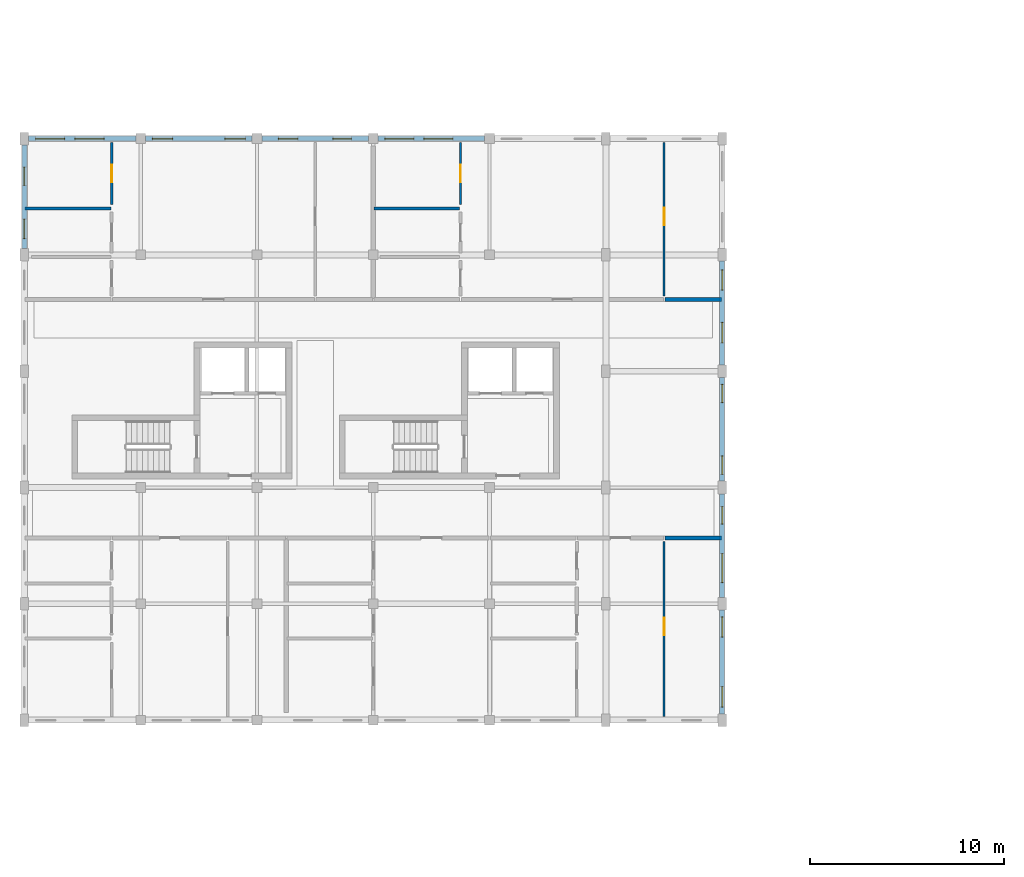
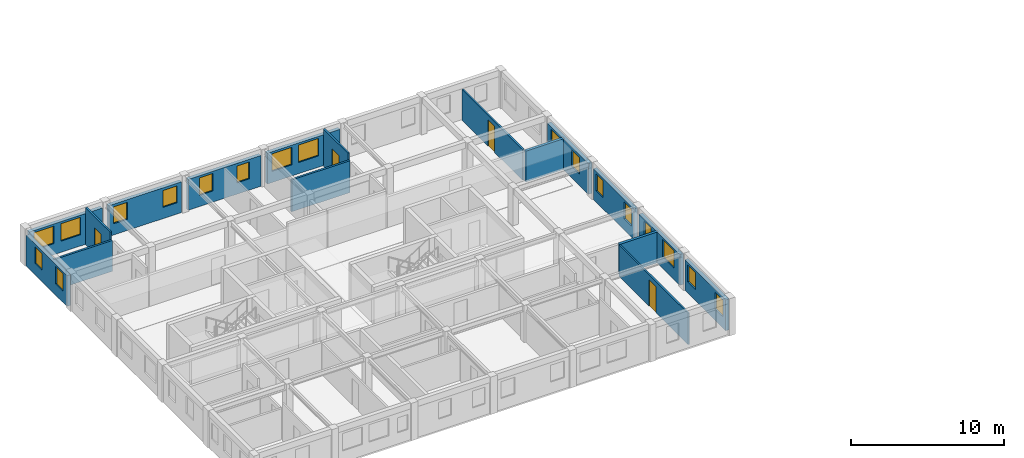
# One storey, part 6 of 17: 18 windows, 17 walls, 4 doors, 22 openings.
"""IFC4 building model written with IfcOpenShell, lengths in metres."""

from ifc_helpers import new_model, si_unit, direction, frame, frame_2d, origin, place, context, subcontext, project, spatial, rectangle, extrude, material, layer, layer_set, type_object, element, fill, save


model = new_model("IFC4")

# Units and contexts
model_context = context("Model", 3, precision=1e-05, world=origin(), true_north=direction((0.0, 1.0)))
body_context = subcontext(model_context, "Body", "Model", "MODEL_VIEW")
ifc_project = project(units=[si_unit("LENGTHUNIT", "METRE"), si_unit("AREAUNIT", "SQUARE_METRE"), si_unit("VOLUMEUNIT", "CUBIC_METRE"), si_unit("PLANEANGLEUNIT", "RADIAN"), si_unit("MASSUNIT", "GRAM", prefix="KILO"), si_unit("POWERUNIT", "WATT"), si_unit("THERMODYNAMICTEMPERATUREUNIT", "KELVIN")], contexts=[model_context])

# Site, building, storey
site_placement = place(None, origin())
site = spatial("IfcSite", under=ifc_project, at=site_placement, CompositionType="ELEMENT")
building_placement = place(site_placement, origin())
building = spatial("IfcBuilding", under=site, at=building_placement, Name="Ruvembo Vaulted Housing Court", CompositionType="ELEMENT")
storey_placement = place(building_placement, frame((0.0, 0.0, 30.10009765625)))
storey = spatial("IfcBuildingStorey", under=building, at=storey_placement, Name="L09", CompositionType="ELEMENT", Elevation=30.10009765625)

# Walls
ifc_material_1 = material(Name="Concrete Blockwork 200", Category="masonry")
ifc_layer_1 = layer(ifc_material_1, 0.199951171875, Name="Concrete Blockwork 200")
ifc_layer_set_1 = layer_set([ifc_layer_1], Name="Concrete Blockwork 200")
wall_type_1 = type_object("IfcWallType", Name="WL-CORR-200", PredefinedType="SOLIDWALL", material=ifc_layer_set_1)
for number, where, z_axis, x_axis, name in (
    (1, (33.0400390625, 15.39990234375, 0.0), (0.0, 0.0, 1.0), (1.0, 0.0, 0.0), "L09 Flat A-L09-S3 Corridor Wall 2 WL-INT-L09-02157"),
    (2, (33.0400390625, 27.699951171875, 0.0), (0.0, 0.0, 1.0), (1.0, 0.0, 0.0), "L09 Flat A-L09-N2 Corridor Wall 2 WL-INT-L09-02176"),
):
    element("IfcWall", number, at=place(storey_placement, frame(where, z_axis=z_axis, x_axis=x_axis)), inside=storey, type_object=wall_type_1, Name=name, PredefinedType="SOLIDWALL", context=body_context, shape_type="SweptSolid", body=[
        extrude(rectangle(XDim=2.919921875, YDim=0.199951171875, at=frame_2d((1.4599609375, 0.0))), origin(), (0.0, 0.0, 1.0), 2.466796875),
    ])

# Wall, openings, windows
ifc_material_2 = material(Name="Rendered Masonry 260", Category="masonry")
ifc_layer_2 = layer(ifc_material_2, 0.260009765625, Name="Rendered Masonry 260")
ifc_layer_set_2 = layer_set([ifc_layer_2], Name="Rendered Masonry 260")
wall_type_2 = type_object("IfcWallType", Name="WL-EXT-260", PredefinedType="STANDARD", material=ifc_layer_set_2)
wall_1_placement = place(storey_placement, frame((36.0, 6.324951171875, 0.0), z_axis=(0.0, 0.0, 1.0), x_axis=(0.0, 1.0, 0.0)))
wall_1 = element("IfcWall", 3, at=wall_1_placement, inside=storey, type_object=wall_type_2, Name="Block A L09 Exterior Wall EAST #1", PredefinedType="STANDARD", context=body_context, shape_type="SweptSolid", body=[
    extrude(rectangle(XDim=5.35009765625, YDim=0.260009765625, at=frame_2d((2.675048828125, 0.0))), origin(), (0.0, 0.0, 1.0), 2.466796875),
])
opening_1_placement = place(wall_1_placement, frame((0.35009765625, 0.0, 0.89990234375)))
opening_1 = element("IfcOpeningElement", 4, at=opening_1_placement, cuts=wall_1, Name="Opening W09", PredefinedType="OPENING", context=body_context, shape_type="SweptSolid", body=[
    extrude(rectangle(XDim=1.050048828125, YDim=1.35009765625, at=frame_2d((0.52490234375, 0.675048828125))), frame((0.0, 0.139892578125, 0.0), z_axis=(0.0, -1.0, 0.0), x_axis=(1.0, 0.0, 0.0)), (0.0, 0.0, 1.0), 0.280029296875),
])
opening_2_placement = place(wall_1_placement, frame((3.949951171875, 0.0, 0.89990234375)))
opening_2 = element("IfcOpeningElement", 5, at=opening_2_placement, cuts=wall_1, Name="Opening W09", PredefinedType="OPENING", context=body_context, shape_type="SweptSolid", body=[
    extrude(rectangle(XDim=1.050048828125, YDim=1.35009765625, at=frame_2d((0.52490234375, 0.675048828125))), frame((0.0, 0.139892578125, 0.0), z_axis=(0.0, -1.0, 0.0), x_axis=(1.0, 0.0, 0.0)), (0.0, 0.0, 1.0), 0.280029296875),
])
ifc_material_3 = material(Name="Double Solar-Control Glazing in Aluminium Frame", Category="aluminium")
window_type_1 = type_object("IfcWindowType", Name="WIN-1050x1350", PartitioningType="SINGLE_PANEL", PredefinedType="WINDOW", material=ifc_material_3)
window_1_placement = place(opening_1_placement, origin())
window_1 = element("IfcWindow", 6, at=window_1_placement, inside=storey, type_object=window_type_1, Name="Block A L09 Window #399", OverallHeight=1.35009765625, OverallWidth=1.050048828125, PartitioningType="SINGLE_PANEL", PredefinedType="WINDOW", context=body_context, shape_type="SweptSolid", body=[
    extrude(rectangle(XDim=1.050048828125, YDim=1.35009765625, at=frame_2d((0.52490234375, 0.675048828125))), frame((0.0, 0.030029296875, 0.0), z_axis=(0.0, -1.0, 0.0), x_axis=(1.0, 0.0, 0.0)), (0.0, 0.0, 1.0), 0.06005859375),
])
fill(opening_1, window_1)
window_2_placement = place(opening_2_placement, origin())
window_2 = element("IfcWindow", 7, at=window_2_placement, inside=storey, type_object=window_type_1, Name="Block A L09 Window #400", OverallHeight=1.35009765625, OverallWidth=1.050048828125, PartitioningType="SINGLE_PANEL", PredefinedType="WINDOW", context=body_context, shape_type="SweptSolid", body=[
    extrude(rectangle(XDim=1.050048828125, YDim=1.35009765625, at=frame_2d((0.52490234375, 0.675048828125))), frame((0.0, 0.030029296875, 0.0), z_axis=(0.0, -1.0, 0.0), x_axis=(1.0, 0.0, 0.0)), (0.0, 0.0, 1.0), 0.06005859375),
])
fill(opening_2, window_2)

wall_2_placement = place(storey_placement, frame((36.0, 12.324951171875, 0.0), z_axis=(0.0, 0.0, 1.0), x_axis=(0.0, 1.0, 0.0)))
wall_2 = element("IfcWall", 8, at=wall_2_placement, inside=storey, type_object=wall_type_2, Name="Block A L09 Exterior Wall EAST #2", PredefinedType="STANDARD", context=body_context, shape_type="SweptSolid", body=[
    extrude(rectangle(XDim=5.35009765625, YDim=0.260009765625, at=frame_2d((2.675048828125, 0.0))), origin(), (0.0, 0.0, 1.0), 2.466796875),
])
opening_3_placement = place(wall_2_placement, frame((0.767578125, 0.0, 0.89990234375)))
opening_3 = element("IfcOpeningElement", 9, at=opening_3_placement, cuts=wall_2, Name="Opening W18", PredefinedType="OPENING", context=body_context, shape_type="SweptSolid", body=[
    extrude(rectangle(XDim=1.5, YDim=1.39990234375, at=frame_2d((0.75, 0.699951171875))), frame((0.0, 0.139892578125, 0.0), z_axis=(0.0, -1.0, 0.0), x_axis=(1.0, 0.0, 0.0)), (0.0, 0.0, 1.0), 0.280029296875),
])
opening_4_placement = place(wall_2_placement, frame((3.782470703125, 0.0, 0.89990234375)))
opening_4 = element("IfcOpeningElement", 10, at=opening_4_placement, cuts=wall_2, Name="Opening W05", PredefinedType="OPENING", context=body_context, shape_type="SweptSolid", body=[
    extrude(rectangle(XDim=0.89990234375, YDim=1.39990234375, at=frame_2d((0.449951171875, 0.699951171875))), frame((0.0, 0.139892578125, 0.0), z_axis=(0.0, -1.0, 0.0), x_axis=(1.0, 0.0, 0.0)), (0.0, 0.0, 1.0), 0.280029296875),
])
window_type_2 = type_object("IfcWindowType", Name="WIN-0900x1400", PartitioningType="SINGLE_PANEL", PredefinedType="WINDOW", material=ifc_material_3)
window_3_placement = place(opening_4_placement, origin())
window_3 = element("IfcWindow", 11, at=window_3_placement, inside=storey, type_object=window_type_2, Name="Block A L09 Window #402", OverallHeight=1.39990234375, OverallWidth=0.89990234375, PartitioningType="SINGLE_PANEL", PredefinedType="WINDOW", context=body_context, shape_type="SweptSolid", body=[
    extrude(rectangle(XDim=0.89990234375, YDim=1.39990234375, at=frame_2d((0.449951171875, 0.699951171875))), frame((0.0, 0.030029296875, 0.0), z_axis=(0.0, -1.0, 0.0), x_axis=(1.0, 0.0, 0.0)), (0.0, 0.0, 1.0), 0.06005859375),
])
fill(opening_4, window_3)
window_type_3 = type_object("IfcWindowType", Name="WIN-1500x1400", PartitioningType="SINGLE_PANEL", PredefinedType="WINDOW", material=ifc_material_3)
window_4_placement = place(opening_3_placement, origin())
window_4 = element("IfcWindow", 12, at=window_4_placement, inside=storey, type_object=window_type_3, Name="Block A L09 Window #401", OverallHeight=1.39990234375, OverallWidth=1.5, PartitioningType="SINGLE_PANEL", PredefinedType="WINDOW", context=body_context, shape_type="SweptSolid", body=[
    extrude(rectangle(XDim=1.5, YDim=1.39990234375, at=frame_2d((0.75, 0.699951171875))), frame((0.0, 0.030029296875, 0.0), z_axis=(0.0, -1.0, 0.0), x_axis=(1.0, 0.0, 0.0)), (0.0, 0.0, 1.0), 0.06005859375),
])
fill(opening_3, window_4)

wall_3_placement = place(storey_placement, frame((36.0, 18.324951171875, 0.0), z_axis=(0.0, 0.0, 1.0), x_axis=(0.0, 1.0, 0.0)))
wall_3 = element("IfcWall", 13, at=wall_3_placement, inside=storey, type_object=wall_type_2, Name="Block A L09 Exterior Wall EAST #3", PredefinedType="STANDARD", context=body_context, shape_type="SweptSolid", body=[
    extrude(rectangle(XDim=5.35009765625, YDim=0.260009765625, at=frame_2d((2.675048828125, 0.0))), origin(), (0.0, 0.0, 1.0), 2.466796875),
])
opening_5_placement = place(wall_3_placement, frame((0.35009765625, 0.0, 0.89990234375)))
opening_5 = element("IfcOpeningElement", 14, at=opening_5_placement, cuts=wall_3, Name="Opening W07", PredefinedType="OPENING", context=body_context, shape_type="SweptSolid", body=[
    extrude(rectangle(XDim=0.949951171875, YDim=1.35009765625, at=frame_2d((0.47509765625, 0.675048828125))), frame((0.0, 0.139892578125, 0.0), z_axis=(0.0, -1.0, 0.0), x_axis=(1.0, 0.0, 0.0)), (0.0, 0.0, 1.0), 0.280029296875),
])
opening_6_placement = place(wall_3_placement, frame((4.050048828125, 0.0, 0.89990234375)))
opening_6 = element("IfcOpeningElement", 15, at=opening_6_placement, cuts=wall_3, Name="Opening W07", PredefinedType="OPENING", context=body_context, shape_type="SweptSolid", body=[
    extrude(rectangle(XDim=0.949951171875, YDim=1.35009765625, at=frame_2d((0.47509765625, 0.675048828125))), frame((0.0, 0.139892578125, 0.0), z_axis=(0.0, -1.0, 0.0), x_axis=(1.0, 0.0, 0.0)), (0.0, 0.0, 1.0), 0.280029296875),
])
window_type_4 = type_object("IfcWindowType", Name="WIN-0950x1350", PartitioningType="SINGLE_PANEL", PredefinedType="WINDOW", material=ifc_material_3)
window_5_placement = place(opening_5_placement, origin())
window_5 = element("IfcWindow", 16, at=window_5_placement, inside=storey, type_object=window_type_4, Name="Block A L09 Window #403", OverallHeight=1.35009765625, OverallWidth=0.949951171875, PartitioningType="SINGLE_PANEL", PredefinedType="WINDOW", context=body_context, shape_type="SweptSolid", body=[
    extrude(rectangle(XDim=0.949951171875, YDim=1.35009765625, at=frame_2d((0.47509765625, 0.675048828125))), frame((0.0, 0.030029296875, 0.0), z_axis=(0.0, -1.0, 0.0), x_axis=(1.0, 0.0, 0.0)), (0.0, 0.0, 1.0), 0.06005859375),
])
fill(opening_5, window_5)
window_6_placement = place(opening_6_placement, origin())
window_6 = element("IfcWindow", 17, at=window_6_placement, inside=storey, type_object=window_type_4, Name="Block A L09 Window #404", OverallHeight=1.35009765625, OverallWidth=0.949951171875, PartitioningType="SINGLE_PANEL", PredefinedType="WINDOW", context=body_context, shape_type="SweptSolid", body=[
    extrude(rectangle(XDim=0.949951171875, YDim=1.35009765625, at=frame_2d((0.47509765625, 0.675048828125))), frame((0.0, 0.030029296875, 0.0), z_axis=(0.0, -1.0, 0.0), x_axis=(1.0, 0.0, 0.0)), (0.0, 0.0, 1.0), 0.06005859375),
])
fill(opening_6, window_6)

wall_4_placement = place(storey_placement, frame((36.0, 24.324951171875, 0.0), z_axis=(0.0, 0.0, 1.0), x_axis=(0.0, 1.0, 0.0)))
wall_4 = element("IfcWall", 18, at=wall_4_placement, inside=storey, type_object=wall_type_2, Name="Block A L09 Exterior Wall EAST #4", PredefinedType="STANDARD", context=body_context, shape_type="SweptSolid", body=[
    extrude(rectangle(XDim=5.35009765625, YDim=0.260009765625, at=frame_2d((2.675048828125, 0.0))), origin(), (0.0, 0.0, 1.0), 2.466796875),
])
opening_7_placement = place(wall_4_placement, frame((1.142578125, 0.0, 0.89990234375)))
opening_7 = element("IfcOpeningElement", 19, at=opening_7_placement, cuts=wall_4, Name="Opening W09", PredefinedType="OPENING", context=body_context, shape_type="SweptSolid", body=[
    extrude(rectangle(XDim=1.050048828125, YDim=1.35009765625, at=frame_2d((0.52490234375, 0.675048828125))), frame((0.0, 0.139892578125, 0.0), z_axis=(0.0, -1.0, 0.0), x_axis=(1.0, 0.0, 0.0)), (0.0, 0.0, 1.0), 0.280029296875),
])
opening_8_placement = place(wall_4_placement, frame((3.857421875, 0.0, 0.89990234375)))
opening_8 = element("IfcOpeningElement", 20, at=opening_8_placement, cuts=wall_4, Name="Opening W09", PredefinedType="OPENING", context=body_context, shape_type="SweptSolid", body=[
    extrude(rectangle(XDim=1.050048828125, YDim=1.35009765625, at=frame_2d((0.52490234375, 0.675048828125))), frame((0.0, 0.139892578125, 0.0), z_axis=(0.0, -1.0, 0.0), x_axis=(1.0, 0.0, 0.0)), (0.0, 0.0, 1.0), 0.280029296875),
])
window_7_placement = place(opening_7_placement, origin())
window_7 = element("IfcWindow", 21, at=window_7_placement, inside=storey, type_object=window_type_1, Name="Block A L09 Window #405", OverallHeight=1.35009765625, OverallWidth=1.050048828125, PartitioningType="SINGLE_PANEL", PredefinedType="WINDOW", context=body_context, shape_type="SweptSolid", body=[
    extrude(rectangle(XDim=1.050048828125, YDim=1.35009765625, at=frame_2d((0.52490234375, 0.675048828125))), frame((0.0, 0.030029296875, 0.0), z_axis=(0.0, -1.0, 0.0), x_axis=(1.0, 0.0, 0.0)), (0.0, 0.0, 1.0), 0.06005859375),
])
fill(opening_7, window_7)
window_8_placement = place(opening_8_placement, origin())
window_8 = element("IfcWindow", 22, at=window_8_placement, inside=storey, type_object=window_type_1, Name="Block A L09 Window #406", OverallHeight=1.35009765625, OverallWidth=1.050048828125, PartitioningType="SINGLE_PANEL", PredefinedType="WINDOW", context=body_context, shape_type="SweptSolid", body=[
    extrude(rectangle(XDim=1.050048828125, YDim=1.35009765625, at=frame_2d((0.52490234375, 0.675048828125))), frame((0.0, 0.030029296875, 0.0), z_axis=(0.0, -1.0, 0.0), x_axis=(1.0, 0.0, 0.0)), (0.0, 0.0, 1.0), 0.06005859375),
])
fill(opening_8, window_8)

wall_5_placement = place(storey_placement, frame((23.75, 36.0, 0.0), z_axis=(0.0, 0.0, 1.0), x_axis=(-1.0, 0.0, 0.0)))
wall_5 = element("IfcWall", 23, at=wall_5_placement, inside=storey, type_object=wall_type_2, Name="Block A L09 Exterior Wall COURTYARD #3", PredefinedType="STANDARD", context=body_context, shape_type="SweptSolid", body=[
    extrude(rectangle(XDim=5.5, YDim=0.260009765625, at=frame_2d((2.75, 0.0))), origin(), (0.0, 0.0, 1.0), 2.466796875),
])
opening_9_placement = place(wall_5_placement, frame((1.639892578125, 0.0, 0.89990234375)))
opening_9 = element("IfcOpeningElement", 24, at=opening_9_placement, cuts=wall_5, Name="Opening W18", PredefinedType="OPENING", context=body_context, shape_type="SweptSolid", body=[
    extrude(rectangle(XDim=1.5, YDim=1.39990234375, at=frame_2d((0.75, 0.699951171875))), frame((0.0, 0.139892578125, 0.0), z_axis=(0.0, -1.0, 0.0), x_axis=(1.0, 0.0, 0.0)), (0.0, 0.0, 1.0), 0.280029296875),
])
opening_10_placement = place(wall_5_placement, frame((3.64990234375, 0.0, 0.89990234375)))
opening_10 = element("IfcOpeningElement", 25, at=opening_10_placement, cuts=wall_5, Name="Opening W18", PredefinedType="OPENING", context=body_context, shape_type="SweptSolid", body=[
    extrude(rectangle(XDim=1.5, YDim=1.39990234375, at=frame_2d((0.75, 0.699951171875))), frame((0.0, 0.139892578125, 0.0), z_axis=(0.0, -1.0, 0.0), x_axis=(1.0, 0.0, 0.0)), (0.0, 0.0, 1.0), 0.280029296875),
])
window_9_placement = place(opening_9_placement, origin())
window_9 = element("IfcWindow", 26, at=window_9_placement, inside=storey, type_object=window_type_3, Name="Block A L09 Window #413", OverallHeight=1.39990234375, OverallWidth=1.5, PartitioningType="SINGLE_PANEL", PredefinedType="WINDOW", context=body_context, shape_type="SweptSolid", body=[
    extrude(rectangle(XDim=1.5, YDim=1.39990234375, at=frame_2d((0.75, 0.699951171875))), frame((0.0, 0.030029296875, 0.0), z_axis=(0.0, -1.0, 0.0), x_axis=(1.0, 0.0, 0.0)), (0.0, 0.0, 1.0), 0.06005859375),
])
fill(opening_9, window_9)
window_10_placement = place(opening_10_placement, origin())
window_10 = element("IfcWindow", 27, at=window_10_placement, inside=storey, type_object=window_type_3, Name="Block A L09 Window #414", OverallHeight=1.39990234375, OverallWidth=1.5, PartitioningType="SINGLE_PANEL", PredefinedType="WINDOW", context=body_context, shape_type="SweptSolid", body=[
    extrude(rectangle(XDim=1.5, YDim=1.39990234375, at=frame_2d((0.75, 0.699951171875))), frame((0.0, 0.030029296875, 0.0), z_axis=(0.0, -1.0, 0.0), x_axis=(1.0, 0.0, 0.0)), (0.0, 0.0, 1.0), 0.06005859375),
])
fill(opening_10, window_10)

wall_6_placement = place(storey_placement, frame((17.75, 36.0, 0.0), z_axis=(0.0, 0.0, 1.0), x_axis=(-1.0, 0.0, 0.0)))
wall_6 = element("IfcWall", 28, at=wall_6_placement, inside=storey, type_object=wall_type_2, Name="Block A L09 Exterior Wall COURTYARD #4", PredefinedType="STANDARD", context=body_context, shape_type="SweptSolid", body=[
    extrude(rectangle(XDim=5.5, YDim=0.260009765625, at=frame_2d((2.75, 0.0))), origin(), (0.0, 0.0, 1.0), 2.466796875),
])
opening_11_placement = place(wall_6_placement, frame((0.8798828125, 0.0, 0.89990234375)))
opening_11 = element("IfcOpeningElement", 29, at=opening_11_placement, cuts=wall_6, Name="Opening W07", PredefinedType="OPENING", context=body_context, shape_type="SweptSolid", body=[
    extrude(rectangle(XDim=0.949951171875, YDim=1.35009765625, at=frame_2d((0.47509765625, 0.675048828125))), frame((0.0, 0.139892578125, 0.0), z_axis=(0.0, -1.0, 0.0), x_axis=(1.0, 0.0, 0.0)), (0.0, 0.0, 1.0), 0.280029296875),
])
opening_12_placement = place(wall_6_placement, frame((3.64501953125, 0.0, 0.89990234375)))
opening_12 = element("IfcOpeningElement", 30, at=opening_12_placement, cuts=wall_6, Name="Opening W08", PredefinedType="OPENING", context=body_context, shape_type="SweptSolid", body=[
    extrude(rectangle(XDim=1.0, YDim=1.39990234375, at=frame_2d((0.5, 0.699951171875))), frame((0.0, 0.139892578125, 0.0), z_axis=(0.0, -1.0, 0.0), x_axis=(1.0, 0.0, 0.0)), (0.0, 0.0, 1.0), 0.280029296875),
])
window_11_placement = place(opening_11_placement, origin())
window_11 = element("IfcWindow", 31, at=window_11_placement, inside=storey, type_object=window_type_4, Name="Block A L09 Window #415", OverallHeight=1.35009765625, OverallWidth=0.949951171875, PartitioningType="SINGLE_PANEL", PredefinedType="WINDOW", context=body_context, shape_type="SweptSolid", body=[
    extrude(rectangle(XDim=0.949951171875, YDim=1.35009765625, at=frame_2d((0.47509765625, 0.675048828125))), frame((0.0, 0.030029296875, 0.0), z_axis=(0.0, -1.0, 0.0), x_axis=(1.0, 0.0, 0.0)), (0.0, 0.0, 1.0), 0.06005859375),
])
fill(opening_11, window_11)
window_type_5 = type_object("IfcWindowType", Name="WIN-1000x1400", PartitioningType="SINGLE_PANEL", PredefinedType="WINDOW", material=ifc_material_3)
window_12_placement = place(opening_12_placement, origin())
window_12 = element("IfcWindow", 32, at=window_12_placement, inside=storey, type_object=window_type_5, Name="Block A L09 Window #416", OverallHeight=1.39990234375, OverallWidth=1.0, PartitioningType="SINGLE_PANEL", PredefinedType="WINDOW", context=body_context, shape_type="SweptSolid", body=[
    extrude(rectangle(XDim=1.0, YDim=1.39990234375, at=frame_2d((0.5, 0.699951171875))), frame((0.0, 0.030029296875, 0.0), z_axis=(0.0, -1.0, 0.0), x_axis=(1.0, 0.0, 0.0)), (0.0, 0.0, 1.0), 0.06005859375),
])
fill(opening_12, window_12)

wall_7_placement = place(storey_placement, frame((11.75, 36.0, 0.0), z_axis=(0.0, 0.0, 1.0), x_axis=(-1.0, 0.0, 0.0)))
wall_7 = element("IfcWall", 33, at=wall_7_placement, inside=storey, type_object=wall_type_2, Name="Block A L09 Exterior Wall COURTYARD #5", PredefinedType="STANDARD", context=body_context, shape_type="SweptSolid", body=[
    extrude(rectangle(XDim=5.5, YDim=0.260009765625, at=frame_2d((2.75, 0.0))), origin(), (0.0, 0.0, 1.0), 2.466796875),
])
opening_13_placement = place(wall_7_placement, frame((0.35009765625, 0.0, 0.89990234375)))
opening_13 = element("IfcOpeningElement", 34, at=opening_13_placement, cuts=wall_7, Name="Opening W09", PredefinedType="OPENING", context=body_context, shape_type="SweptSolid", body=[
    extrude(rectangle(XDim=1.050048828125, YDim=1.35009765625, at=frame_2d((0.52490234375, 0.675048828125))), frame((0.0, 0.139892578125, 0.0), z_axis=(0.0, -1.0, 0.0), x_axis=(1.0, 0.0, 0.0)), (0.0, 0.0, 1.0), 0.280029296875),
])
opening_14_placement = place(wall_7_placement, frame((4.10009765625, 0.0, 0.89990234375)))
opening_14 = element("IfcOpeningElement", 35, at=opening_14_placement, cuts=wall_7, Name="Opening W09", PredefinedType="OPENING", context=body_context, shape_type="SweptSolid", body=[
    extrude(rectangle(XDim=1.050048828125, YDim=1.35009765625, at=frame_2d((0.52490234375, 0.675048828125))), frame((0.0, 0.139892578125, 0.0), z_axis=(0.0, -1.0, 0.0), x_axis=(1.0, 0.0, 0.0)), (0.0, 0.0, 1.0), 0.280029296875),
])
window_13_placement = place(opening_13_placement, origin())
window_13 = element("IfcWindow", 36, at=window_13_placement, inside=storey, type_object=window_type_1, Name="Block A L09 Window #417", OverallHeight=1.35009765625, OverallWidth=1.050048828125, PartitioningType="SINGLE_PANEL", PredefinedType="WINDOW", context=body_context, shape_type="SweptSolid", body=[
    extrude(rectangle(XDim=1.050048828125, YDim=1.35009765625, at=frame_2d((0.52490234375, 0.675048828125))), frame((0.0, 0.030029296875, 0.0), z_axis=(0.0, -1.0, 0.0), x_axis=(1.0, 0.0, 0.0)), (0.0, 0.0, 1.0), 0.06005859375),
])
fill(opening_13, window_13)
window_14_placement = place(opening_14_placement, origin())
window_14 = element("IfcWindow", 37, at=window_14_placement, inside=storey, type_object=window_type_1, Name="Block A L09 Window #418", OverallHeight=1.35009765625, OverallWidth=1.050048828125, PartitioningType="SINGLE_PANEL", PredefinedType="WINDOW", context=body_context, shape_type="SweptSolid", body=[
    extrude(rectangle(XDim=1.050048828125, YDim=1.35009765625, at=frame_2d((0.52490234375, 0.675048828125))), frame((0.0, 0.030029296875, 0.0), z_axis=(0.0, -1.0, 0.0), x_axis=(1.0, 0.0, 0.0)), (0.0, 0.0, 1.0), 0.06005859375),
])
fill(opening_14, window_14)

wall_8_placement = place(storey_placement, frame((5.75, 36.0, 0.0), z_axis=(0.0, 0.0, 1.0), x_axis=(-1.0, 0.0, 0.0)))
wall_8 = element("IfcWall", 38, at=wall_8_placement, inside=storey, type_object=wall_type_2, Name="Block A L09 Exterior Wall COURTYARD #6", PredefinedType="STANDARD", context=body_context, shape_type="SweptSolid", body=[
    extrude(rectangle(XDim=5.52490234375, YDim=0.260009765625, at=frame_2d((2.762451171875, 0.0))), origin(), (0.0, 0.0, 1.0), 2.466796875),
])
opening_15_placement = place(wall_8_placement, frame((1.639892578125, 0.0, 0.89990234375)))
opening_15 = element("IfcOpeningElement", 39, at=opening_15_placement, cuts=wall_8, Name="Opening W18", PredefinedType="OPENING", context=body_context, shape_type="SweptSolid", body=[
    extrude(rectangle(XDim=1.5, YDim=1.39990234375, at=frame_2d((0.75, 0.699951171875))), frame((0.0, 0.139892578125, 0.0), z_axis=(0.0, -1.0, 0.0), x_axis=(1.0, 0.0, 0.0)), (0.0, 0.0, 1.0), 0.280029296875),
])
opening_16_placement = place(wall_8_placement, frame((3.675048828125, 0.0, 0.89990234375)))
opening_16 = element("IfcOpeningElement", 40, at=opening_16_placement, cuts=wall_8, Name="Opening W18", PredefinedType="OPENING", context=body_context, shape_type="SweptSolid", body=[
    extrude(rectangle(XDim=1.5, YDim=1.39990234375, at=frame_2d((0.75, 0.699951171875))), frame((0.0, 0.139892578125, 0.0), z_axis=(0.0, -1.0, 0.0), x_axis=(1.0, 0.0, 0.0)), (0.0, 0.0, 1.0), 0.280029296875),
])
window_15_placement = place(opening_15_placement, origin())
window_15 = element("IfcWindow", 41, at=window_15_placement, inside=storey, type_object=window_type_3, Name="Block A L09 Window #419", OverallHeight=1.39990234375, OverallWidth=1.5, PartitioningType="SINGLE_PANEL", PredefinedType="WINDOW", context=body_context, shape_type="SweptSolid", body=[
    extrude(rectangle(XDim=1.5, YDim=1.39990234375, at=frame_2d((0.75, 0.699951171875))), frame((0.0, 0.030029296875, 0.0), z_axis=(0.0, -1.0, 0.0), x_axis=(1.0, 0.0, 0.0)), (0.0, 0.0, 1.0), 0.06005859375),
])
fill(opening_15, window_15)
window_16_placement = place(opening_16_placement, origin())
window_16 = element("IfcWindow", 42, at=window_16_placement, inside=storey, type_object=window_type_3, Name="Block A L09 Window #420", OverallHeight=1.39990234375, OverallWidth=1.5, PartitioningType="SINGLE_PANEL", PredefinedType="WINDOW", context=body_context, shape_type="SweptSolid", body=[
    extrude(rectangle(XDim=1.5, YDim=1.39990234375, at=frame_2d((0.75, 0.699951171875))), frame((0.0, 0.030029296875, 0.0), z_axis=(0.0, -1.0, 0.0), x_axis=(1.0, 0.0, 0.0)), (0.0, 0.0, 1.0), 0.06005859375),
])
fill(opening_16, window_16)

wall_9_placement = place(storey_placement, frame((0.0, 35.675048828125, 0.0), z_axis=(0.0, 0.0, 1.0), x_axis=(0.0, -1.0, 0.0)))
wall_9 = element("IfcWall", 43, at=wall_9_placement, inside=storey, type_object=wall_type_2, Name="Block A L09 Exterior Wall WEST #1", PredefinedType="STANDARD", context=body_context, shape_type="SweptSolid", body=[
    extrude(rectangle(XDim=5.35009765625, YDim=0.260009765625, at=frame_2d((2.675048828125, 0.0))), origin(), (0.0, 0.0, 1.0), 2.466796875),
])
opening_17_placement = place(wall_9_placement, frame((1.142578125, 0.0, 0.89990234375)))
opening_17 = element("IfcOpeningElement", 44, at=opening_17_placement, cuts=wall_9, Name="Opening W07", PredefinedType="OPENING", context=body_context, shape_type="SweptSolid", body=[
    extrude(rectangle(XDim=0.949951171875, YDim=1.35009765625, at=frame_2d((0.47509765625, 0.675048828125))), frame((0.0, 0.139892578125, 0.0), z_axis=(0.0, -1.0, 0.0), x_axis=(1.0, 0.0, 0.0)), (0.0, 0.0, 1.0), 0.280029296875),
])
opening_18_placement = place(wall_9_placement, frame((3.83251953125, 0.0, 0.89990234375)))
opening_18 = element("IfcOpeningElement", 45, at=opening_18_placement, cuts=wall_9, Name="Opening W08", PredefinedType="OPENING", context=body_context, shape_type="SweptSolid", body=[
    extrude(rectangle(XDim=1.0, YDim=1.39990234375, at=frame_2d((0.5, 0.699951171875))), frame((0.0, 0.139892578125, 0.0), z_axis=(0.0, -1.0, 0.0), x_axis=(1.0, 0.0, 0.0)), (0.0, 0.0, 1.0), 0.280029296875),
])
window_17_placement = place(opening_17_placement, origin())
window_17 = element("IfcWindow", 46, at=window_17_placement, inside=storey, type_object=window_type_4, Name="Block A L09 Window #421", OverallHeight=1.35009765625, OverallWidth=0.949951171875, PartitioningType="SINGLE_PANEL", PredefinedType="WINDOW", context=body_context, shape_type="SweptSolid", body=[
    extrude(rectangle(XDim=0.949951171875, YDim=1.35009765625, at=frame_2d((0.47509765625, 0.675048828125))), frame((0.0, 0.030029296875, 0.0), z_axis=(0.0, -1.0, 0.0), x_axis=(1.0, 0.0, 0.0)), (0.0, 0.0, 1.0), 0.06005859375),
])
fill(opening_17, window_17)
window_18_placement = place(opening_18_placement, origin())
window_18 = element("IfcWindow", 47, at=window_18_placement, inside=storey, type_object=window_type_5, Name="Block A L09 Window #422", OverallHeight=1.39990234375, OverallWidth=1.0, PartitioningType="SINGLE_PANEL", PredefinedType="WINDOW", context=body_context, shape_type="SweptSolid", body=[
    extrude(rectangle(XDim=1.0, YDim=1.39990234375, at=frame_2d((0.5, 0.699951171875))), frame((0.0, 0.030029296875, 0.0), z_axis=(0.0, -1.0, 0.0), x_axis=(1.0, 0.0, 0.0)), (0.0, 0.0, 1.0), 0.06005859375),
])
fill(opening_18, window_18)

# Wall, opening, door
ifc_material_4 = material(Name="Plasterboard Stud Partition 125", Category="gypsum")
ifc_layer_3 = layer(ifc_material_4, 0.125, Name="Plasterboard Stud Partition 125")
ifc_layer_set_3 = layer_set([ifc_layer_3], Name="Plasterboard Stud Partition 125")
wall_type_3 = type_object("IfcWallType", Name="WL-PART-125", PredefinedType="PARTITIONING", material=ifc_layer_set_3)
wall_10_placement = place(storey_placement, frame((33.0, 6.18994140625, 0.0), z_axis=(0.0, 0.0, 1.0), x_axis=(0.0, 1.0, 0.0)))
wall_10 = element("IfcWall", 48, at=wall_10_placement, inside=storey, type_object=wall_type_3, Name="L09 Flat A-L09-S3 Bedroom 2 WL-INT-L09-02158", PredefinedType="PARTITIONING", context=body_context, shape_type="SweptSolid", body=[
    extrude(rectangle(XDim=9.02001953125, YDim=0.125, at=frame_2d((4.510009765625, 0.0))), origin(), (0.0, 0.0, 1.0), 2.5078125),
])
opening_19_placement = place(wall_10_placement, frame((4.199951171875, 0.0, 0.0)))
opening_19 = element("IfcOpeningElement", 49, at=opening_19_placement, cuts=wall_10, Name="Opening ID3", PredefinedType="OPENING", context=body_context, shape_type="SweptSolid", body=[
    extrude(rectangle(XDim=0.8798828125, YDim=2.10009765625, at=frame_2d((0.43994140625, 1.050048828125))), frame((0.0, 0.072509765625, 0.0), z_axis=(0.0, -1.0, 0.0), x_axis=(1.0, 0.0, 0.0)), (0.0, 0.0, 1.0), 0.14501953125),
])
ifc_material_5 = material(Name="FSC Hardwood and Engineered Timber", Category="wood")
door_type_1 = type_object("IfcDoorType", Name="DR-ROOM-0880x2100", OperationType="NOTDEFINED", PredefinedType="DOOR", material=ifc_material_5)
door_1_placement = place(opening_19_placement, origin())
door_1 = element("IfcDoor", 50, at=door_1_placement, inside=storey, type_object=door_type_1, Name="L09 Flat A-L09-S3 Bedroom 2 Door DR-INT-L09-01201", OperationType="SINGLE_SWING_LEFT", OverallHeight=2.10009765625, OverallWidth=0.8798828125, PredefinedType="DOOR", context=body_context, shape_type="SweptSolid", body=[
    extrude(rectangle(XDim=0.8798828125, YDim=2.10009765625, at=frame_2d((0.43994140625, 1.050048828125))), frame((0.0, 0.02490234375, 0.0), z_axis=(0.0, -1.0, 0.0), x_axis=(1.0, 0.0, 0.0)), (0.0, 0.0, 1.0), 0.050048828125),
])
fill(opening_19, door_1)

wall_11_placement = place(storey_placement, frame((4.5, 32.590087890625, 0.0), z_axis=(0.0, 0.0, 1.0), x_axis=(0.0, 1.0, 0.0)))
wall_11 = element("IfcWall", 51, at=wall_11_placement, inside=storey, type_object=wall_type_3, Name="L09 Flat A-L09-N1 Bedroom 1 WL-INT-L09-02162", PredefinedType="PARTITIONING", context=body_context, shape_type="SweptSolid", body=[
    extrude(rectangle(XDim=3.219970703125, YDim=0.125, at=frame_2d((1.60986328125, 0.0))), origin(), (0.0, 0.0, 1.0), 2.98486328125),
])
opening_20_placement = place(wall_11_placement, frame((1.169921875, 0.0, 0.0)))
opening_20 = element("IfcOpeningElement", 52, at=opening_20_placement, cuts=wall_11, Name="Opening ID3", PredefinedType="OPENING", context=body_context, shape_type="SweptSolid", body=[
    extrude(rectangle(XDim=0.8798828125, YDim=2.10009765625, at=frame_2d((0.43994140625, 1.050048828125))), frame((0.0, 0.072509765625, 0.0), z_axis=(0.0, -1.0, 0.0), x_axis=(1.0, 0.0, 0.0)), (0.0, 0.0, 1.0), 0.14501953125),
])
door_2_placement = place(opening_20_placement, origin())
door_2 = element("IfcDoor", 53, at=door_2_placement, inside=storey, type_object=door_type_1, Name="L09 Flat A-L09-N1 Bedroom 1 Door DR-INT-L09-01203", OperationType="SINGLE_SWING_LEFT", OverallHeight=2.10009765625, OverallWidth=0.8798828125, PredefinedType="DOOR", context=body_context, shape_type="SweptSolid", body=[
    extrude(rectangle(XDim=0.8798828125, YDim=2.10009765625, at=frame_2d((0.43994140625, 1.050048828125))), frame((0.0, 0.02490234375, 0.0), z_axis=(0.0, -1.0, 0.0), x_axis=(1.0, 0.0, 0.0)), (0.0, 0.0, 1.0), 0.050048828125),
])
fill(opening_20, door_2)

wall_12_placement = place(storey_placement, frame((22.5, 32.590087890625, 0.0), z_axis=(0.0, 0.0, 1.0), x_axis=(0.0, 1.0, 0.0)))
wall_12 = element("IfcWall", 54, at=wall_12_placement, inside=storey, type_object=wall_type_3, Name="L09 Flat A-L09-N2 Bedroom 1 WL-INT-L09-02171", PredefinedType="PARTITIONING", context=body_context, shape_type="SweptSolid", body=[
    extrude(rectangle(XDim=3.219970703125, YDim=0.125, at=frame_2d((1.60986328125, 0.0))), origin(), (0.0, 0.0, 1.0), 2.98486328125),
])
opening_21_placement = place(wall_12_placement, frame((1.159912109375, 0.0, 0.0)))
opening_21 = element("IfcOpeningElement", 55, at=opening_21_placement, cuts=wall_12, Name="Opening ID1", PredefinedType="OPENING", context=body_context, shape_type="SweptSolid", body=[
    extrude(rectangle(XDim=0.89990234375, YDim=2.10009765625, at=frame_2d((0.449951171875, 1.050048828125))), frame((0.0, 0.072509765625, 0.0), z_axis=(0.0, -1.0, 0.0), x_axis=(1.0, 0.0, 0.0)), (0.0, 0.0, 1.0), 0.14501953125),
])
door_type_2 = type_object("IfcDoorType", Name="DR-ROOM-0900x2100", OperationType="NOTDEFINED", PredefinedType="DOOR", material=ifc_material_5)
door_3_placement = place(opening_21_placement, origin())
door_3 = element("IfcDoor", 56, at=door_3_placement, inside=storey, type_object=door_type_2, Name="L09 Flat A-L09-N2 Bedroom 1 Door DR-INT-L09-01208", OperationType="SINGLE_SWING_RIGHT", OverallHeight=2.10009765625, OverallWidth=0.89990234375, PredefinedType="DOOR", context=body_context, shape_type="SweptSolid", body=[
    extrude(rectangle(XDim=0.89990234375, YDim=2.10009765625, at=frame_2d((0.449951171875, 1.050048828125))), frame((0.0, 0.02490234375, 0.0), z_axis=(0.0, -1.0, 0.0), x_axis=(1.0, 0.0, 0.0)), (0.0, 0.0, 1.0), 0.050048828125),
])
fill(opening_21, door_3)

wall_13_placement = place(storey_placement, frame((33.0, 27.889892578125, 0.0), z_axis=(0.0, 0.0, 1.0), x_axis=(0.0, 1.0, 0.0)))
wall_13 = element("IfcWall", 57, at=wall_13_placement, inside=storey, type_object=wall_type_3, Name="L09 Flat A-L09-N2 Bedroom 2 WL-INT-L09-02177", PredefinedType="PARTITIONING", context=body_context, shape_type="SweptSolid", body=[
    extrude(rectangle(XDim=7.920166015625, YDim=0.125, at=frame_2d((3.9599609375, 0.0))), origin(), (0.0, 0.0, 1.0), 2.466796875),
])
opening_22_placement = place(wall_13_placement, frame((3.64990234375, 0.0, 0.0)))
opening_22 = element("IfcOpeningElement", 58, at=opening_22_placement, cuts=wall_13, Name="Opening ID3", PredefinedType="OPENING", context=body_context, shape_type="SweptSolid", body=[
    extrude(rectangle(XDim=0.8798828125, YDim=2.10009765625, at=frame_2d((0.43994140625, 1.050048828125))), frame((0.0, 0.072509765625, 0.0), z_axis=(0.0, -1.0, 0.0), x_axis=(1.0, 0.0, 0.0)), (0.0, 0.0, 1.0), 0.14501953125),
])
door_4_placement = place(opening_22_placement, origin())
door_4 = element("IfcDoor", 59, at=door_4_placement, inside=storey, type_object=door_type_1, Name="L09 Flat A-L09-N2 Bedroom 2 Door DR-INT-L09-01211", OperationType="SINGLE_SWING_LEFT", OverallHeight=2.10009765625, OverallWidth=0.8798828125, PredefinedType="DOOR", context=body_context, shape_type="SweptSolid", body=[
    extrude(rectangle(XDim=0.8798828125, YDim=2.10009765625, at=frame_2d((0.43994140625, 1.050048828125))), frame((0.0, 0.02490234375, 0.0), z_axis=(0.0, -1.0, 0.0), x_axis=(1.0, 0.0, 0.0)), (0.0, 0.0, 1.0), 0.050048828125),
])
fill(opening_22, door_4)

# Walls
ifc_material_6 = material(Name="Moisture-Resistant Wet Partition 150", Category="gypsum")
ifc_layer_4 = layer(ifc_material_6, 0.14990234375, Name="Moisture-Resistant Wet Partition 150")
ifc_layer_set_4 = layer_set([ifc_layer_4], Name="Moisture-Resistant Wet Partition 150")
wall_type_4 = type_object("IfcWallType", Name="WL-PART-150", PredefinedType="PARTITIONING", material=ifc_layer_set_4)
wall_14_placement = place(storey_placement, frame((0.0400390625, 32.39990234375, 0.0), z_axis=(0.0, 0.0, 1.0), x_axis=(1.0, 0.0, 0.0)))
element("IfcWall", 60, at=wall_14_placement, inside=storey, type_object=wall_type_4, Name="L09 Flat A-L09-N1 Wet Wall 1 WL-INT-L09-02165", PredefinedType="PARTITIONING", context=body_context, shape_type="SweptSolid", body=[
    extrude(rectangle(XDim=4.419921875, YDim=0.14990234375, at=frame_2d((2.2099609375, 0.0))), origin(), (0.0, 0.0, 1.0), 2.466796875),
])
wall_15_placement = place(storey_placement, frame((18.0400390625, 32.39990234375, 0.0), z_axis=(0.0, 0.0, 1.0), x_axis=(1.0, 0.0, 0.0)))
element("IfcWall", 61, at=wall_15_placement, inside=storey, type_object=wall_type_4, Name="L09 Flat A-L09-N2 Wet Wall 1 WL-INT-L09-02174", PredefinedType="PARTITIONING", context=body_context, shape_type="SweptSolid", body=[
    extrude(rectangle(XDim=4.419921875, YDim=0.14990234375, at=frame_2d((2.2099609375, 0.0))), origin(), (0.0, 0.0, 1.0), 2.5478515625),
])

save(model, "model.ifc")
